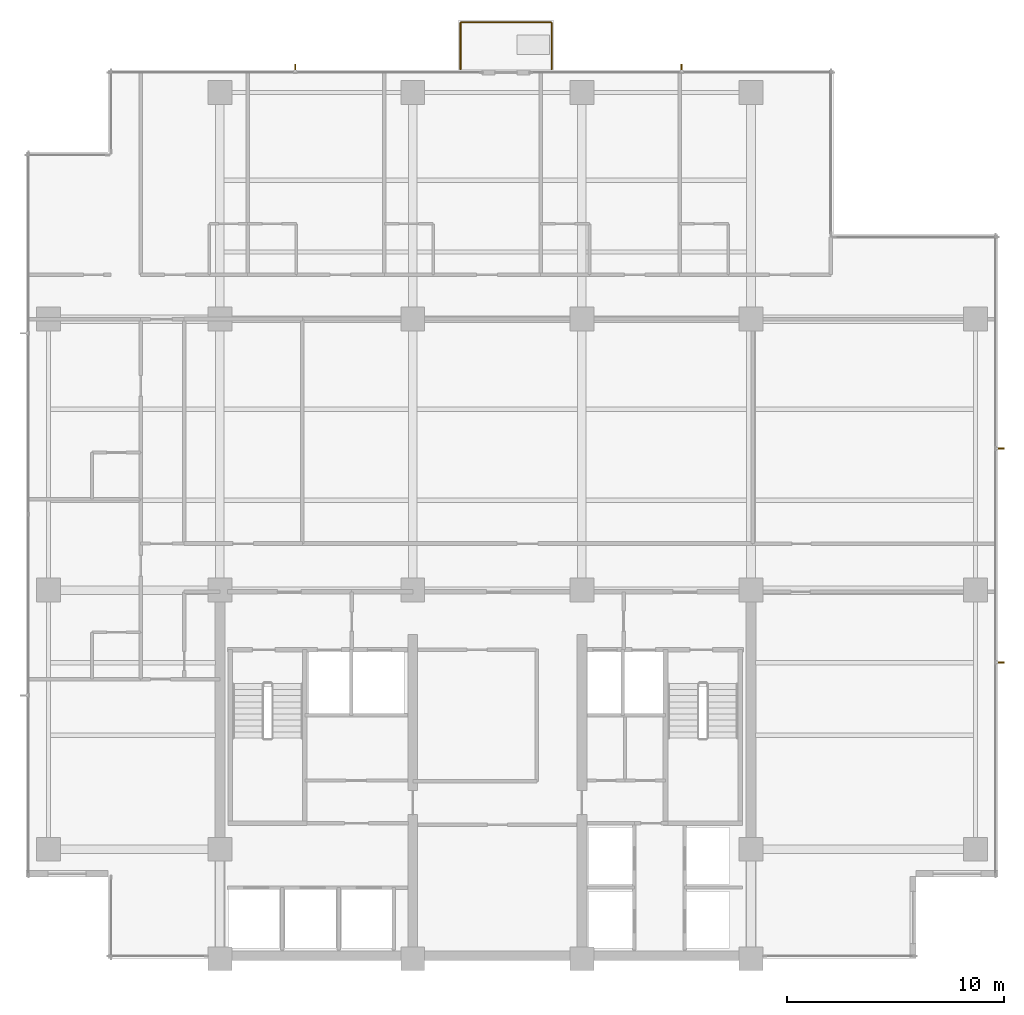
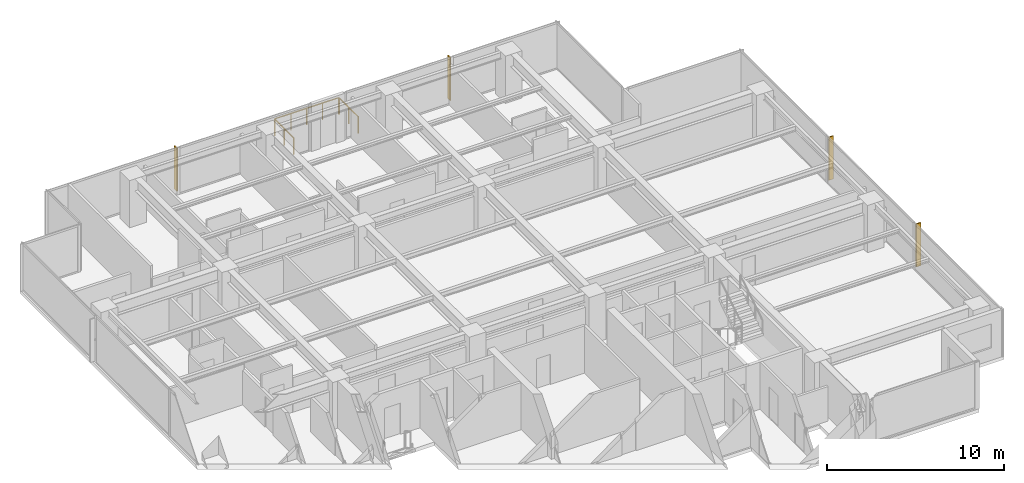
# One storey, part 15 of 15: 4 shading devices, 3 railings.
"""IFC4 building model written with IfcOpenShell, lengths in metres."""

from ifc_helpers import new_model, si_unit, direction, frame, origin, origin_2d, place, context, subcontext, project, spatial, polyline, circle, outline, extrude, material, layer, layer_set, type_object, element, save


model = new_model("IFC4")

# Units and contexts
model_context = context("Model", 3, precision=1e-05, world=origin(), true_north=direction((0.0, 1.0)))
body_context = subcontext(model_context, "Body", "Model", "MODEL_VIEW")
ifc_project = project(units=[si_unit("LENGTHUNIT", "METRE"), si_unit("AREAUNIT", "SQUARE_METRE"), si_unit("VOLUMEUNIT", "CUBIC_METRE"), si_unit("PLANEANGLEUNIT", "RADIAN"), si_unit("MASSUNIT", "GRAM", prefix="KILO")], contexts=[model_context])

# Site, building, storey
site_placement = place(None, origin())
site = spatial("IfcSite", under=ifc_project, at=site_placement, CompositionType="ELEMENT")
building_placement = place(site_placement, origin())
building = spatial("IfcBuilding", under=site, at=building_placement, Name="Qalmaran Belvedere Hotel", CompositionType="ELEMENT")
storey_placement = place(building_placement, frame((0.0, 0.0, 170.10009765625)))
storey = spatial("IfcBuildingStorey", under=building, at=storey_placement, Name="L43", CompositionType="ELEMENT", Elevation=170.10009765625)

# Shading devices
ifc_material = material(Name="Anodised Bronze Aluminium", Category="aluminium")
ifc_layer = layer(ifc_material, 0.06494140625, Name="Anodised Bronze Aluminium")
ifc_layer_set = layer_set([ifc_layer], Name="Anodised Bronze Aluminium")
shading_device_type = type_object("IfcShadingDeviceType", Name="FIN-BRNZ-300", PredefinedType="USERDEFINED", material=ifc_layer_set)
shading_device_1_placement = place(storey_placement, frame((0.0, 0.0, 0.159912109375)))
element("IfcShadingDevice", 1, at=shading_device_1_placement, inside=storey, type_object=shading_device_type, Name="L43 Bronze Fin 1", ObjectType="FIN", PredefinedType="USERDEFINED", context=body_context, shape_type="SweptSolid", body=[
    extrude(outline(polyline([(56.169921875, 17.13427734375), (56.469970703125, 17.13427734375), (56.469970703125, 17.19921875), (56.169921875, 17.19921875), (56.169921875, 17.13427734375)])), origin(), (0.0, 0.0, 1.0), 2.969970703125),
])
shading_device_2_placement = place(storey_placement, frame((0.0, 0.0, 0.159912109375)))
element("IfcShadingDevice", 2, at=shading_device_2_placement, inside=storey, type_object=shading_device_type, Name="L43 Bronze Fin 2", ObjectType="FIN", PredefinedType="USERDEFINED", context=body_context, shape_type="SweptSolid", body=[
    extrude(outline(polyline([(56.169921875, 27.000732421875), (56.469970703125, 27.000732421875), (56.469970703125, 27.06591796875), (56.169921875, 27.06591796875), (56.169921875, 27.000732421875)])), origin(), (0.0, 0.0, 1.0), 2.969970703125),
])
shading_device_3_placement = place(storey_placement, frame((0.0, 0.0, 0.159912109375)))
element("IfcShadingDevice", 3, at=shading_device_3_placement, inside=storey, type_object=shading_device_type, Name="L43 Bronze Fin 1", ObjectType="FIN", PredefinedType="USERDEFINED", context=body_context, shape_type="SweptSolid", body=[
    extrude(outline(polyline([(23.8076171875, 44.469970703125), (23.8076171875, 44.77001953125), (23.742431640625, 44.77001953125), (23.742431640625, 44.469970703125), (23.8076171875, 44.469970703125)])), origin(), (0.0, 0.0, 1.0), 2.969970703125),
])
shading_device_4_placement = place(storey_placement, frame((0.0, 0.0, 0.159912109375)))
element("IfcShadingDevice", 4, at=shading_device_4_placement, inside=storey, type_object=shading_device_type, Name="L43 Bronze Fin 1", ObjectType="FIN", PredefinedType="USERDEFINED", context=body_context, shape_type="SweptSolid", body=[
    extrude(outline(polyline([(41.632568359375, 44.469970703125), (41.632568359375, 44.77001953125), (41.5673828125, 44.77001953125), (41.5673828125, 44.469970703125), (41.632568359375, 44.469970703125)])), origin(), (0.0, 0.0, 1.0), 2.969970703125),
])

# Railings
railing_type = type_object("IfcRailingType", Name="GRD-BAL-1150", PredefinedType="BALUSTRADE", material=ifc_material)
railing_1_placement = place(storey_placement, frame((31.39990234375, 44.534912109375, 0.0)))
element("IfcRailing", 5, at=railing_1_placement, inside=storey, type_object=railing_type, Name="L43 Guardrail BAL-L43-N-1", PredefinedType="BALUSTRADE", context=body_context, shape_type="SweptSolid", body=[
    extrude(circle(Radius=0.02392578125, at=origin_2d()), frame((0.0, 0.0, 1.1259765625), z_axis=(0.0, 1.0, 0.0), x_axis=(-1.0, 0.0, 0.0)), (0.0, 0.0, 1.0), 2.130126953125),
    extrude(circle(Radius=0.02099609375, at=origin_2d()), origin(), (0.0, 0.0, 1.0), 1.101806640625),
    extrude(circle(Radius=0.02099609375, at=origin_2d()), frame((0.0, 1.06494140625, 0.0)), (0.0, 0.0, 1.0), 1.101806640625),
    extrude(circle(Radius=0.02099609375, at=origin_2d()), frame((0.0, 2.130126953125, 0.0)), (0.0, 0.0, 1.0), 1.101806640625),
])
railing_2_placement = place(storey_placement, frame((31.43505859375, 46.699951171875, 0.0)))
element("IfcRailing", 6, at=railing_2_placement, inside=storey, type_object=railing_type, Name="L43 Guardrail BAL-L43-N-2", PredefinedType="BALUSTRADE", context=body_context, shape_type="SweptSolid", body=[
    extrude(circle(Radius=0.02392578125, at=origin_2d()), frame((0.0, 0.0, 1.1259765625), z_axis=(1.0, 0.0, 0.0), x_axis=(0.0, 1.0, 0.0)), (0.0, 0.0, 1.0), 4.1298828125),
    extrude(circle(Radius=0.02099609375, at=origin_2d()), origin(), (0.0, 0.0, 1.0), 1.101806640625),
    extrude(circle(Radius=0.02099609375, at=origin_2d()), frame((1.032470703125, 0.0, 0.0)), (0.0, 0.0, 1.0), 1.101806640625),
    extrude(circle(Radius=0.02099609375, at=origin_2d()), frame((2.06494140625, 0.0, 0.0)), (0.0, 0.0, 1.0), 1.101806640625),
    extrude(circle(Radius=0.02099609375, at=origin_2d()), frame((3.097412109375, 0.0, 0.0)), (0.0, 0.0, 1.0), 1.101806640625),
    extrude(circle(Radius=0.02099609375, at=origin_2d()), frame((4.1298828125, 0.0, 0.0)), (0.0, 0.0, 1.0), 1.101806640625),
])
railing_3_placement = place(storey_placement, frame((35.60009765625, 46.6650390625, 0.0)))
element("IfcRailing", 7, at=railing_3_placement, inside=storey, type_object=railing_type, Name="L43 Guardrail BAL-L43-N-3", PredefinedType="BALUSTRADE", context=body_context, shape_type="SweptSolid", body=[
    extrude(circle(Radius=0.02392578125, at=origin_2d()), frame((0.0, 0.0, 1.1259765625), z_axis=(0.0, -1.0, 0.0), x_axis=(1.0, 0.0, 0.0)), (0.0, 0.0, 1.0), 2.130126953125),
    extrude(circle(Radius=0.02099609375, at=origin_2d()), origin(), (0.0, 0.0, 1.0), 1.101806640625),
    extrude(circle(Radius=0.02099609375, at=origin_2d()), frame((0.0, -1.06494140625, 0.0)), (0.0, 0.0, 1.0), 1.101806640625),
    extrude(circle(Radius=0.02099609375, at=origin_2d()), frame((0.0, -2.130126953125, 0.0)), (0.0, 0.0, 1.0), 1.101806640625),
])

save(model, "model.ifc")
